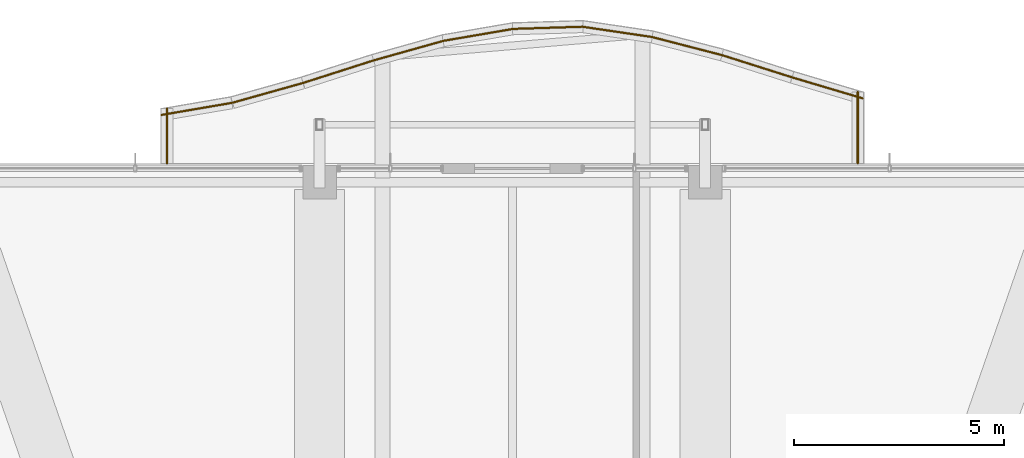
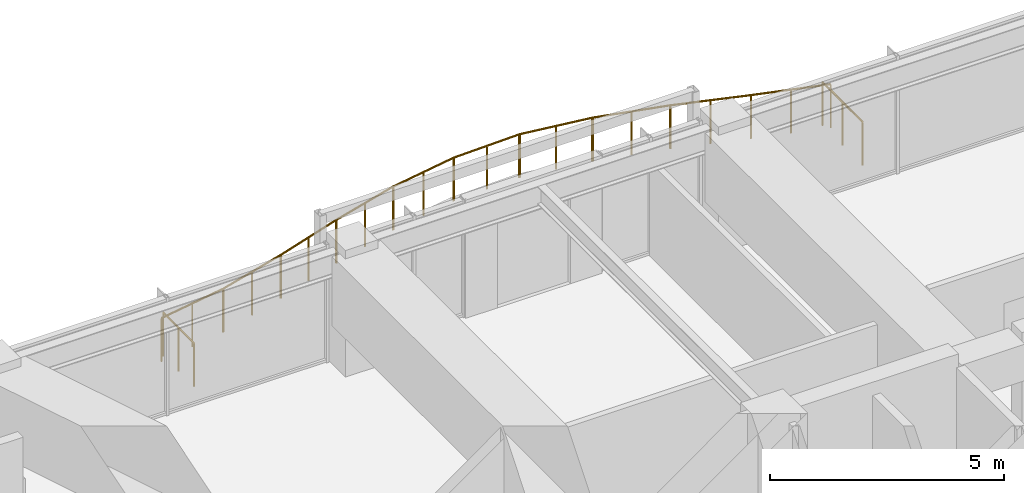
# One storey, part 37 of 37: 12 railings.
"""IFC4 building model written with IfcOpenShell, lengths in metres."""

from ifc_helpers import new_model, si_unit, direction, frame, origin, origin_2d, place, context, subcontext, project, spatial, circle, extrude, material, type_object, element, save


model = new_model("IFC4")

# Units and contexts
model_context = context("Model", 3, precision=1e-05, world=origin(), true_north=direction((0.0, 1.0)))
body_context = subcontext(model_context, "Body", "Model", "MODEL_VIEW")
ifc_project = project(units=[si_unit("LENGTHUNIT", "METRE"), si_unit("AREAUNIT", "SQUARE_METRE"), si_unit("VOLUMEUNIT", "CUBIC_METRE"), si_unit("PLANEANGLEUNIT", "RADIAN"), si_unit("MASSUNIT", "GRAM", prefix="KILO")], contexts=[model_context])

# Site, building, storey
site_placement = place(None, origin())
site = spatial("IfcSite", under=ifc_project, at=site_placement, CompositionType="ELEMENT")
building_placement = place(site_placement, origin())
building = spatial("IfcBuilding", under=site, at=building_placement, Name="Kolvaren Belvedere", CompositionType="ELEMENT")
storey_placement = place(building_placement, frame((0.0, 0.0, 219.60009765625)))
storey = spatial("IfcBuildingStorey", under=building, at=storey_placement, Name="L64", CompositionType="ELEMENT", Elevation=219.60009765625)

# Railings
ifc_material = material(Name="Anodised pale-metal aluminium & laminated glass guard", Category="aluminium")
railing_type = type_object("IfcRailingType", Name="RL-GUARD-1150", PredefinedType="GUARDRAIL", material=ifc_material)
railing_1_placement = place(storey_placement, frame((8.239990234375, 20.39990234375, 0.3798828125)))
element("IfcRailing", 1, at=railing_1_placement, inside=storey, type_object=railing_type, Name="L64 Exterior Deck Safety Guard BAL-N-11", PredefinedType="GUARDRAIL", context=body_context, shape_type="SweptSolid", body=[
    extrude(circle(Radius=0.02392578125, at=origin_2d()), frame((0.0, 0.0, 1.1259765625), z_axis=(0.0, 1.0, 0.0), x_axis=(-1.0, 0.0, 0.0)), (0.0, 0.0, 1.0), 1.705322265625),
    extrude(circle(Radius=0.02099609375, at=origin_2d()), origin(), (0.0, 0.0, 1.0), 1.101806640625),
    extrude(circle(Radius=0.02099609375, at=origin_2d()), frame((0.0, 0.8525390625, 0.0)), (0.0, 0.0, 1.0), 1.101806640625),
    extrude(circle(Radius=0.02099609375, at=origin_2d()), frame((0.0, 1.705322265625, 0.0)), (0.0, 0.0, 1.0), 1.101806640625),
])
railing_2_placement = place(storey_placement, frame((8.3544921875, 21.951904296875, 0.3798828125)))
element("IfcRailing", 2, at=railing_2_placement, inside=storey, type_object=railing_type, Name="L64 Exterior Deck Safety Guard BAL-N-12", PredefinedType="GUARDRAIL", context=body_context, shape_type="SweptSolid", body=[
    extrude(circle(Radius=0.02392578125, at=origin_2d()), frame((0.0, 0.0, 1.1259765625), z_axis=(-0.958574394638, 0.284842289601, 0.0), x_axis=(-0.284842289601, -0.958574394638, 0.0)), (0.0, 0.0, 1.0), 1.752685546875),
    extrude(circle(Radius=0.02099609375, at=origin_2d()), origin(), (0.0, 0.0, 1.0), 1.101806640625),
    extrude(circle(Radius=0.02099609375, at=origin_2d()), frame((-0.840087890625, 0.24951171875, 0.0)), (0.0, 0.0, 1.0), 1.101806640625),
    extrude(circle(Radius=0.02099609375, at=origin_2d()), frame((-1.68017578125, 0.499267578125, 0.0)), (0.0, 0.0, 1.0), 1.101806640625),
])
railing_3_placement = place(storey_placement, frame((6.671630859375, 22.4521484375, 0.3798828125)))
element("IfcRailing", 3, at=railing_3_placement, inside=storey, type_object=railing_type, Name="L64 Exterior Deck Safety Guard BAL-N-13", PredefinedType="GUARDRAIL", context=body_context, shape_type="SweptSolid", body=[
    extrude(circle(Radius=0.02392578125, at=origin_2d()), frame((0.0, 0.0, 1.1259765625), z_axis=(-0.953181954832, 0.302397356111, 0.0), x_axis=(-0.302397356111, -0.953181954832, 0.0)), (0.0, 0.0, 1.0), 1.762451171875),
    extrude(circle(Radius=0.02099609375, at=origin_2d()), origin(), (0.0, 0.0, 1.0), 1.101806640625),
    extrude(circle(Radius=0.02099609375, at=origin_2d()), frame((-0.83984375, 0.2666015625, 0.0)), (0.0, 0.0, 1.0), 1.101806640625),
    extrude(circle(Radius=0.02099609375, at=origin_2d()), frame((-1.679931640625, 0.532958984375, 0.0)), (0.0, 0.0, 1.0), 1.101806640625),
])
railing_4_placement = place(storey_placement, frame((5.0, 22.982666015625, 0.3798828125)))
element("IfcRailing", 4, at=railing_4_placement, inside=storey, type_object=railing_type, Name="L64 Exterior Deck Safety Guard BAL-N-14", PredefinedType="GUARDRAIL", context=body_context, shape_type="SweptSolid", body=[
    extrude(circle(Radius=0.02392578125, at=origin_2d()), frame((0.0, 0.0, 1.1259765625), z_axis=(-0.968141031826, 0.250405556038, 0.0), x_axis=(-0.250405556038, -0.968141031826, 0.0)), (0.0, 0.0, 1.0), 1.7353515625),
    extrude(circle(Radius=0.02099609375, at=origin_2d()), origin(), (0.0, 0.0, 1.0), 1.101806640625),
    extrude(circle(Radius=0.02099609375, at=origin_2d()), frame((-0.840087890625, 0.21728515625, 0.0)), (0.0, 0.0, 1.0), 1.101806640625),
    extrude(circle(Radius=0.02099609375, at=origin_2d()), frame((-1.68017578125, 0.4345703125, 0.0)), (0.0, 0.0, 1.0), 1.101806640625),
])
railing_5_placement = place(storey_placement, frame((3.336669921875, 23.413818359375, 0.3798828125)))
element("IfcRailing", 5, at=railing_5_placement, inside=storey, type_object=railing_type, Name="L64 Exterior Deck Safety Guard BAL-N-15", PredefinedType="GUARDRAIL", context=body_context, shape_type="SweptSolid", body=[
    extrude(circle(Radius=0.02392578125, at=origin_2d()), frame((0.0, 0.0, 1.1259765625), z_axis=(-0.989295127716, 0.145928579368, 0.0), x_axis=(-0.145928579368, -0.989295127716, 0.0)), (0.0, 0.0, 1.0), 1.697998046875),
    extrude(circle(Radius=0.02099609375, at=origin_2d()), origin(), (0.0, 0.0, 1.0), 1.101806640625),
    extrude(circle(Radius=0.02099609375, at=origin_2d()), frame((-0.83984375, 0.1240234375, 0.0)), (0.0, 0.0, 1.0), 1.101806640625),
    extrude(circle(Radius=0.02099609375, at=origin_2d()), frame((-1.679931640625, 0.247802734375, 0.0)), (0.0, 0.0, 1.0), 1.101806640625),
])
railing_6_placement = place(storey_placement, frame((1.68505859375, 23.66015625, 0.3798828125)))
element("IfcRailing", 6, at=railing_6_placement, inside=storey, type_object=railing_type, Name="L64 Exterior Deck Safety Guard BAL-N-16", PredefinedType="GUARDRAIL", context=body_context, shape_type="SweptSolid", body=[
    extrude(circle(Radius=0.02392578125, at=origin_2d()), frame((0.0, 0.0, 1.1259765625), z_axis=(-0.999503251643, -0.031515868295, 0.0), x_axis=(0.031515868295, -0.999503251643, 0.0)), (0.0, 0.0, 1.0), 1.680908203125),
    extrude(circle(Radius=0.02099609375, at=origin_2d()), origin(), (0.0, 0.0, 1.0), 1.101806640625),
    extrude(circle(Radius=0.02099609375, at=origin_2d()), frame((-0.840087890625, -0.0263671875, 0.0)), (0.0, 0.0, 1.0), 1.101806640625),
    extrude(circle(Radius=0.02099609375, at=origin_2d()), frame((-1.68017578125, -0.052978515625, 0.0)), (0.0, 0.0, 1.0), 1.101806640625),
])
railing_7_placement = place(storey_placement, frame((0.027099609375, 23.609375, 0.3798828125)))
element("IfcRailing", 7, at=railing_7_placement, inside=storey, type_object=railing_type, Name="L64 Exterior Deck Safety Guard BAL-N-17", PredefinedType="GUARDRAIL", context=body_context, shape_type="SweptSolid", body=[
    extrude(circle(Radius=0.02392578125, at=origin_2d()), frame((0.0, 0.0, 1.1259765625), z_axis=(-0.985640648378, -0.168856484225, 0.0), x_axis=(0.168856484225, -0.985640648378, 0.0)), (0.0, 0.0, 1.0), 1.70458984375),
    extrude(circle(Radius=0.02099609375, at=origin_2d()), origin(), (0.0, 0.0, 1.0), 1.101806640625),
    extrude(circle(Radius=0.02099609375, at=origin_2d()), frame((-0.840087890625, -0.14404296875, 0.0)), (0.0, 0.0, 1.0), 1.101806640625),
    extrude(circle(Radius=0.02099609375, at=origin_2d()), frame((-1.68017578125, -0.287841796875, 0.0)), (0.0, 0.0, 1.0), 1.101806640625),
])
railing_8_placement = place(storey_placement, frame((-1.63671875, 23.3251953125, 0.3798828125)))
element("IfcRailing", 8, at=railing_8_placement, inside=storey, type_object=railing_type, Name="L64 Exterior Deck Safety Guard BAL-N-18", PredefinedType="GUARDRAIL", context=body_context, shape_type="SweptSolid", body=[
    extrude(circle(Radius=0.02392578125, at=origin_2d()), frame((0.0, 0.0, 1.1259765625), z_axis=(-0.962926227834, -0.269764860108, 0.0), x_axis=(0.269764860108, -0.962926227834, 0.0)), (0.0, 0.0, 1.0), 1.744873046875),
    extrude(circle(Radius=0.02099609375, at=origin_2d()), origin(), (0.0, 0.0, 1.0), 1.101806640625),
    extrude(circle(Radius=0.02099609375, at=origin_2d()), frame((-0.840087890625, -0.2353515625, 0.0)), (0.0, 0.0, 1.0), 1.101806640625),
    extrude(circle(Radius=0.02099609375, at=origin_2d()), frame((-1.68017578125, -0.470703125, 0.0)), (0.0, 0.0, 1.0), 1.101806640625),
])
railing_9_placement = place(storey_placement, frame((-3.311279296875, 22.856201171875, 0.3798828125)))
element("IfcRailing", 9, at=railing_9_placement, inside=storey, type_object=railing_type, Name="L64 Exterior Deck Safety Guard BAL-N-19", PredefinedType="GUARDRAIL", context=body_context, shape_type="SweptSolid", body=[
    extrude(circle(Radius=0.02392578125, at=origin_2d()), frame((0.0, 0.0, 1.1259765625), z_axis=(-0.952501264923, -0.304534629099, 0.0), x_axis=(0.304534629099, -0.952501264923, 0.0)), (0.0, 0.0, 1.0), 1.763671875),
    extrude(circle(Radius=0.02099609375, at=origin_2d()), origin(), (0.0, 0.0, 1.0), 1.101806640625),
    extrude(circle(Radius=0.02099609375, at=origin_2d()), frame((-0.83984375, -0.2685546875, 0.0)), (0.0, 0.0, 1.0), 1.101806640625),
    extrude(circle(Radius=0.02099609375, at=origin_2d()), frame((-1.679931640625, -0.537109375, 0.0)), (0.0, 0.0, 1.0), 1.101806640625),
])
railing_10_placement = place(storey_placement, frame((-4.996826171875, 22.3173828125, 0.3798828125)))
element("IfcRailing", 10, at=railing_10_placement, inside=storey, type_object=railing_type, Name="L64 Exterior Deck Safety Guard BAL-N-20", PredefinedType="GUARDRAIL", context=body_context, shape_type="SweptSolid", body=[
    extrude(circle(Radius=0.02392578125, at=origin_2d()), frame((0.0, 0.0, 1.1259765625), z_axis=(-0.962916043401, -0.269801210823, 0.0), x_axis=(0.269801210823, -0.962916043401, 0.0)), (0.0, 0.0, 1.0), 1.74462890625),
    extrude(circle(Radius=0.02099609375, at=origin_2d()), origin(), (0.0, 0.0, 1.0), 1.101806640625),
    extrude(circle(Radius=0.02099609375, at=origin_2d()), frame((-0.83984375, -0.2353515625, 0.0)), (0.0, 0.0, 1.0), 1.101806640625),
    extrude(circle(Radius=0.02099609375, at=origin_2d()), frame((-1.679931640625, -0.470703125, 0.0)), (0.0, 0.0, 1.0), 1.101806640625),
])
railing_11_placement = place(storey_placement, frame((-6.693115234375, 21.843017578125, 0.3798828125)))
element("IfcRailing", 11, at=railing_11_placement, inside=storey, type_object=railing_type, Name="L64 Exterior Deck Safety Guard BAL-N-21", PredefinedType="GUARDRAIL", context=body_context, shape_type="SweptSolid", body=[
    extrude(circle(Radius=0.02392578125, at=origin_2d()), frame((0.0, 0.0, 1.1259765625), z_axis=(-0.985636563949, -0.16888032392, 0.0), x_axis=(0.16888032392, -0.985636563949, 0.0)), (0.0, 0.0, 1.0), 1.704345703125),
    extrude(circle(Radius=0.02099609375, at=origin_2d()), origin(), (0.0, 0.0, 1.0), 1.101806640625),
    extrude(circle(Radius=0.02099609375, at=origin_2d()), frame((-0.83984375, -0.14404296875, 0.0)), (0.0, 0.0, 1.0), 1.101806640625),
    extrude(circle(Radius=0.02099609375, at=origin_2d()), frame((-1.679931640625, -0.287841796875, 0.0)), (0.0, 0.0, 1.0), 1.101806640625),
])
railing_12_placement = place(storey_placement, frame((-8.239990234375, 21.712890625, 0.3798828125)))
element("IfcRailing", 12, at=railing_12_placement, inside=storey, type_object=railing_type, Name="L64 Exterior Deck Safety Guard BAL-N-22", PredefinedType="GUARDRAIL", context=body_context, shape_type="SweptSolid", body=[
    extrude(circle(Radius=0.02392578125, at=origin_2d()), frame((0.0, 0.0, 1.1259765625), z_axis=(0.0, -1.0, 0.0), x_axis=(1.0, 0.0, 0.0)), (0.0, 0.0, 1.0), 1.31298828125),
    extrude(circle(Radius=0.02099609375, at=origin_2d()), origin(), (0.0, 0.0, 1.0), 1.101806640625),
    extrude(circle(Radius=0.02099609375, at=origin_2d()), frame((0.0, -0.656494140625, 0.0)), (0.0, 0.0, 1.0), 1.101806640625),
    extrude(circle(Radius=0.02099609375, at=origin_2d()), frame((0.0, -1.31298828125, 0.0)), (0.0, 0.0, 1.0), 1.101806640625),
])

save(model, "model.ifc")
